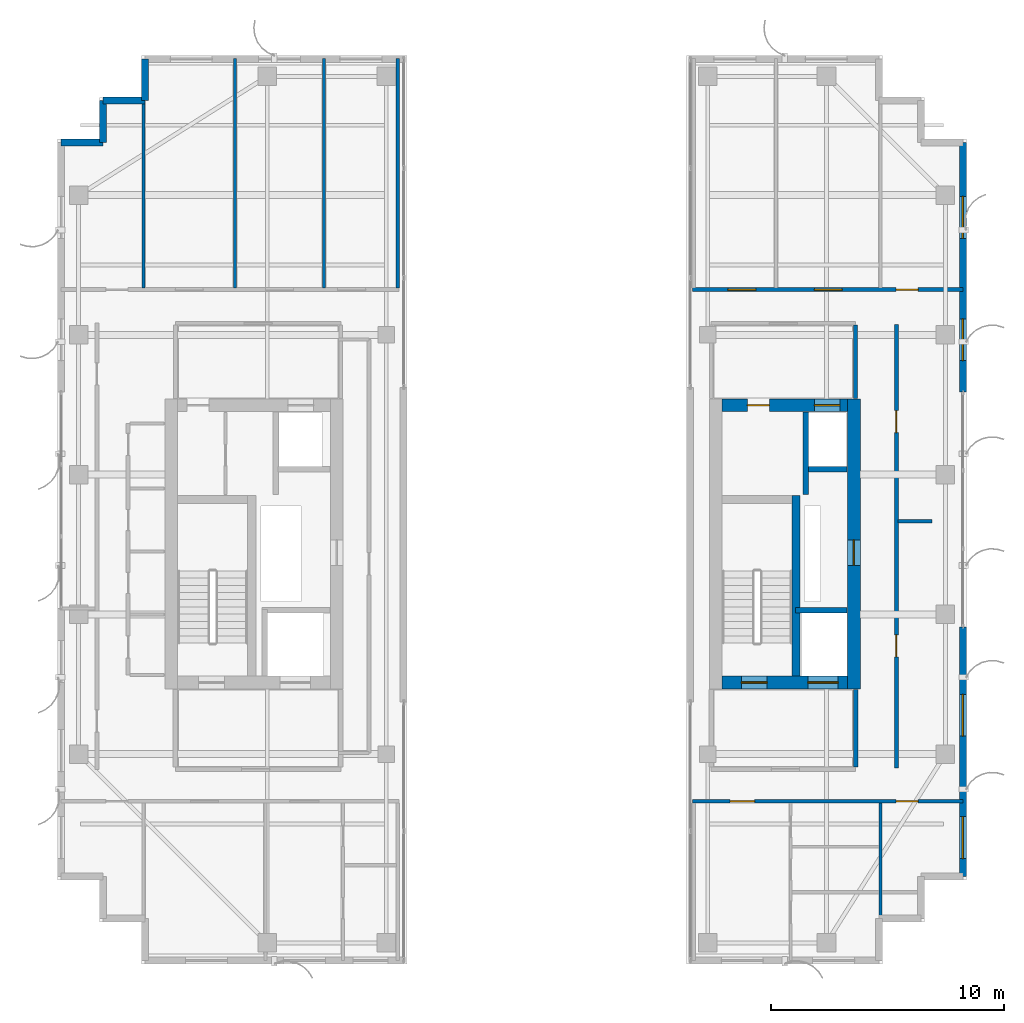
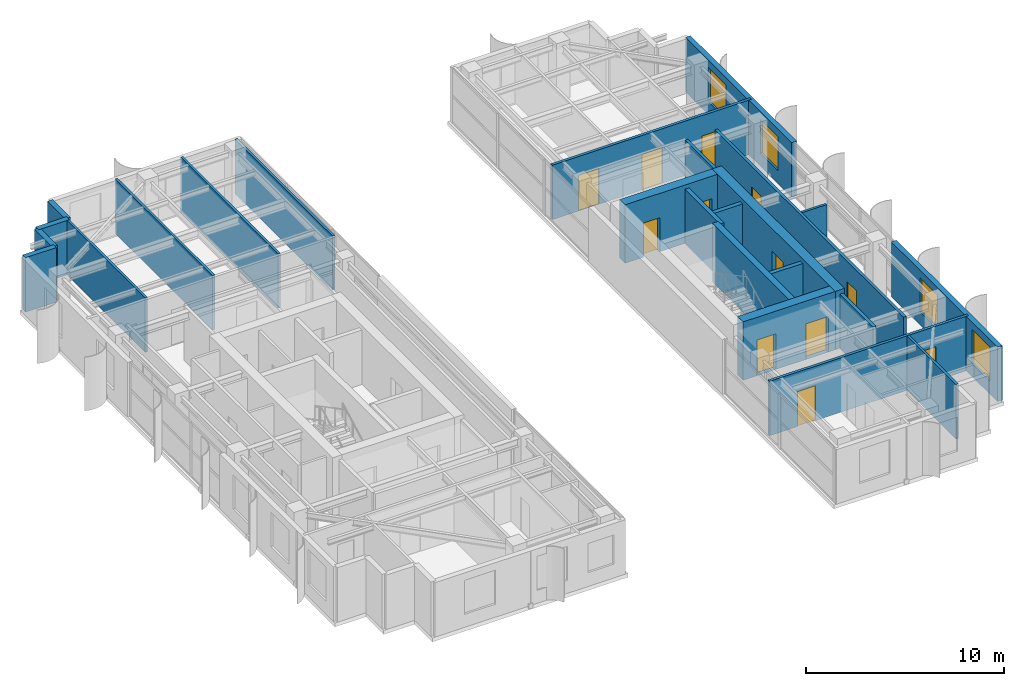
# One storey, part 20 of 24: 24 walls, 12 doors, 4 windows, 16 openings.
"""IFC4 building model written with IfcOpenShell, lengths in metres."""

from ifc_helpers import new_model, si_unit, direction, frame, frame_2d, origin, place, context, subcontext, project, spatial, rectangle, extrude, source, transform, mapped, material, layer, layer_set, type_object, element, fill, save


model = new_model("IFC4")

# Units and contexts
model_context = context("Model", 3, precision=1e-05, world=origin(), true_north=direction((0.0, 1.0)))
body_context = subcontext(model_context, "Body", "Model", "MODEL_VIEW")
ifc_project = project(units=[si_unit("LENGTHUNIT", "METRE"), si_unit("AREAUNIT", "SQUARE_METRE"), si_unit("VOLUMEUNIT", "CUBIC_METRE"), si_unit("PLANEANGLEUNIT", "RADIAN"), si_unit("MASSUNIT", "GRAM", prefix="KILO")], contexts=[model_context])

# Site, building, storey
site_placement = place(None, origin())
site = spatial("IfcSite", under=ifc_project, at=site_placement, CompositionType="ELEMENT")
building_placement = place(site_placement, origin())
building = spatial("IfcBuilding", under=site, at=building_placement, Name="Khoralis Quay Care Tower", CompositionType="ELEMENT")
storey_placement = place(building_placement, frame((0.0, 0.0, 231.300048828125)))
storey = spatial("IfcBuildingStorey", under=building, at=storey_placement, Name="L60", CompositionType="ELEMENT", Elevation=231.300048828125)

# Wall
ifc_material_1 = material(Name="Gypsum plasterboard on acoustic metal stud")
ifc_layer_1 = layer(ifc_material_1, 0.199951171875)
ifc_layer_set_1 = layer_set([ifc_layer_1], Name="Gypsum plasterboard on acoustic metal stud")
wall_type_1 = type_object("IfcWallType", Name="WL-COMP-200", PredefinedType="PARTITIONING", material=ifc_layer_set_1)
wall_1_placement = place(storey_placement, frame((37.25, 11.445068359375, 0.0), z_axis=(0.0, 0.0, 1.0), x_axis=(0.0, 1.0, 0.0)))
element("IfcWall", 1, at=wall_1_placement, inside=storey, type_object=wall_type_1, Name="L60 East Firefighting Lobby East Wall", PredefinedType="PARTITIONING", context=body_context, shape_type="SweptSolid", body=[
    extrude(rectangle(XDim=3.3349609375, YDim=0.199951171875, at=frame_2d((1.66748046875, 0.0))), origin(), (0.0, 0.0, 1.0), 3.35986328125),
])

# Wall, opening, door
ifc_material_2 = material(Name="Concrete C65/80", Category="concrete")
ifc_layer_2 = layer(ifc_material_2, 0.550048828125)
ifc_layer_set_2 = layer_set([ifc_layer_2], Name="Concrete C65/80")
wall_type_2 = type_object("IfcWallType", Name="WL-CORE-550", PredefinedType="SHEAR", material=ifc_layer_set_2)
wall_2_placement = place(storey_placement, frame((37.175048828125, 14.800048828125, 0.0), z_axis=(0.0, 0.0, 1.0), x_axis=(0.0, 1.0, 0.0)))
wall_2 = element("IfcWall", 2, at=wall_2_placement, inside=storey, type_object=wall_type_2, Name="L60 ECORE East Shear Wall", PredefinedType="SHEAR", context=body_context, shape_type="SweptSolid", body=[
    extrude(rectangle(XDim=12.449951171875, YDim=0.550048828125, at=frame_2d((6.22509765625, 0.0))), origin(), (0.0, 0.0, 1.0), 3.599853515625),
])
opening_1_placement = place(wall_2_placement, frame((5.300048828125, 0.0, 0.0)))
opening_1 = element("IfcOpeningElement", 3, at=opening_1_placement, cuts=wall_2, Name="Opening SD1", PredefinedType="OPENING", context=body_context, shape_type="SweptSolid", body=[
    extrude(rectangle(XDim=1.10009765625, YDim=2.199951171875, at=frame_2d((0.550048828125, 1.10009765625))), frame((0.0, 0.28515625, 0.0), z_axis=(0.0, -1.0, 0.0), x_axis=(1.0, 0.0, 0.0)), (0.0, 0.0, 1.0), 0.570068359375),
])
ifc_material_3 = material(Name="Fire-rated painted steel", Category="steel")
door_type_1 = type_object("IfcDoorType", Name="DR-STAIR-1100X2200", OperationType="NOTDEFINED", PredefinedType="DOOR", material=ifc_material_3)
shared_shape_1 = source(origin(), body_context, "Body", "SweptSolid", [
    extrude(rectangle(XDim=1.10009765625, YDim=2.199951171875, at=frame_2d((0.550048828125, 1.10009765625))), frame((0.0, 0.02490234375, 0.0), z_axis=(0.0, -1.0, 0.0), x_axis=(1.0, 0.0, 0.0)), (0.0, 0.0, 1.0), 0.050048828125),
])
door_1_placement = place(opening_1_placement, frame((1.10009765625, 0.0, 0.0), z_axis=(0.0, 0.0, 1.0), x_axis=(-1.0, 0.0, 0.0)))
door_1 = element("IfcDoor", 4, at=door_1_placement, inside=storey, type_object=door_type_1, Name="L60 East MEP Riser Door", OperationType="SINGLE_SWING_LEFT", OverallHeight=2.199951171875, OverallWidth=1.10009765625, PredefinedType="DOOR", context=body_context, shape_type="MappedRepresentation", body=[
    mapped(shared_shape_1, transform((0.0, 0.0, 0.0), scale=1.0)),
])
fill(opening_1, door_1)

# Wall, openings, doors
wall_3_placement = place(storey_placement, frame((31.52001953125, 15.074951171875, 0.0), z_axis=(0.0, 0.0, 1.0), x_axis=(1.0, 0.0, 0.0)))
wall_3 = element("IfcWall", 5, at=wall_3_placement, inside=storey, type_object=wall_type_2, Name="L60 ECORE South Shear Wall", PredefinedType="SHEAR", context=body_context, shape_type="SweptSolid", body=[
    extrude(rectangle(XDim=5.3798828125, YDim=0.550048828125, at=frame_2d((2.68994140625, 0.0))), origin(), (0.0, 0.0, 1.0), 3.599853515625),
])
opening_2_placement = place(wall_3_placement, frame((0.830078125, 0.0, 0.0)))
opening_2 = element("IfcOpeningElement", 6, at=opening_2_placement, cuts=wall_3, Name="Opening SD1", PredefinedType="OPENING", context=body_context, shape_type="SweptSolid", body=[
    extrude(rectangle(XDim=1.10009765625, YDim=2.199951171875, at=frame_2d((0.550048828125, 1.10009765625))), frame((0.0, 0.28515625, 0.0), z_axis=(0.0, -1.0, 0.0), x_axis=(1.0, 0.0, 0.0)), (0.0, 0.0, 1.0), 0.570068359375),
])
opening_3_placement = place(wall_3_placement, frame((3.679931640625, 0.0, 0.0)))
opening_3 = element("IfcOpeningElement", 7, at=opening_3_placement, cuts=wall_3, Name="Opening LD2", PredefinedType="OPENING", context=body_context, shape_type="SweptSolid", body=[
    extrude(rectangle(XDim=1.300048828125, YDim=2.199951171875, at=frame_2d((0.64990234375, 1.10009765625))), frame((0.0, 0.28515625, 0.0), z_axis=(0.0, -1.0, 0.0), x_axis=(1.0, 0.0, 0.0)), (0.0, 0.0, 1.0), 0.570068359375),
])
door_2_placement = place(opening_2_placement, origin())
door_2 = element("IfcDoor", 8, at=door_2_placement, inside=storey, type_object=door_type_1, Name="L60 Stair ST-T2 Fire Door", OperationType="SINGLE_SWING_LEFT", OverallHeight=2.199951171875, OverallWidth=1.10009765625, PredefinedType="DOOR", context=body_context, shape_type="MappedRepresentation", body=[
    mapped(shared_shape_1, transform((0.0, 0.0, 0.0), scale=1.0)),
])
fill(opening_2, door_2)
ifc_material_4 = material(Name="Brushed stainless steel", Category="steel")
door_type_2 = type_object("IfcDoorType", Name="DR-LIFT-1300X2200", OperationType="SLIDING_TO_RIGHT", PredefinedType="DOOR", material=ifc_material_4)
shared_shape_2 = source(origin(), body_context, "Body", "SweptSolid", [
    extrude(rectangle(XDim=1.300048828125, YDim=2.199951171875, at=frame_2d((0.64990234375, 1.10009765625))), frame((0.0, 0.02490234375, 0.0), z_axis=(0.0, -1.0, 0.0), x_axis=(1.0, 0.0, 0.0)), (0.0, 0.0, 1.0), 0.050048828125),
])
door_3_placement = place(opening_3_placement, origin())
door_3 = element("IfcDoor", 9, at=door_3_placement, inside=storey, type_object=door_type_2, Name="L60 Firefighting Lift FFL-2 Landing Door", OperationType="SLIDING_TO_RIGHT", OverallHeight=2.199951171875, OverallWidth=1.300048828125, PredefinedType="DOOR", context=body_context, shape_type="MappedRepresentation", body=[
    mapped(shared_shape_2, transform((0.0, 0.0, 0.0), scale=1.0)),
])
fill(opening_3, door_3)

wall_4_placement = place(storey_placement, frame((31.52001953125, 26.97509765625, 0.0), z_axis=(0.0, 0.0, 1.0), x_axis=(1.0, 0.0, 0.0)))
wall_4 = element("IfcWall", 10, at=wall_4_placement, inside=storey, type_object=wall_type_2, Name="L60 ECORE North Shear Wall", PredefinedType="SHEAR", context=body_context, shape_type="SweptSolid", body=[
    extrude(rectangle(XDim=5.3798828125, YDim=0.550048828125, at=frame_2d((2.68994140625, 0.0))), origin(), (0.0, 0.0, 1.0), 3.599853515625),
])
opening_4_placement = place(wall_4_placement, frame((1.080078125, 0.0, 0.0)))
opening_4 = element("IfcOpeningElement", 11, at=opening_4_placement, cuts=wall_4, Name="Opening ID1", PredefinedType="OPENING", context=body_context, shape_type="SweptSolid", body=[
    extrude(rectangle(XDim=0.949951171875, YDim=2.10009765625, at=frame_2d((0.47509765625, 1.050048828125))), frame((0.0, 0.28515625, 0.0), z_axis=(0.0, -1.0, 0.0), x_axis=(1.0, 0.0, 0.0)), (0.0, 0.0, 1.0), 0.570068359375),
])
opening_5_placement = place(wall_4_placement, frame((3.9599609375, 0.0, 0.0)))
opening_5 = element("IfcOpeningElement", 12, at=opening_5_placement, cuts=wall_4, Name="Opening LD1", PredefinedType="OPENING", context=body_context, shape_type="SweptSolid", body=[
    extrude(rectangle(XDim=1.10009765625, YDim=2.199951171875, at=frame_2d((0.550048828125, 1.10009765625))), frame((0.0, 0.28515625, 0.0), z_axis=(0.0, -1.0, 0.0), x_axis=(1.0, 0.0, 0.0)), (0.0, 0.0, 1.0), 0.570068359375),
])
door_type_3 = type_object("IfcDoorType", Name="DR-LIFT-1100X2200", OperationType="SLIDING_TO_LEFT", PredefinedType="DOOR", material=ifc_material_4)
shared_shape_3 = source(origin(), body_context, "Body", "SweptSolid", [
    extrude(rectangle(XDim=1.10009765625, YDim=2.199951171875, at=frame_2d((0.550048828125, 1.10009765625))), frame((0.0, 0.02490234375, 0.0), z_axis=(0.0, -1.0, 0.0), x_axis=(1.0, 0.0, 0.0)), (0.0, 0.0, 1.0), 0.050048828125),
])
door_4_placement = place(opening_5_placement, origin())
door_4 = element("IfcDoor", 13, at=door_4_placement, inside=storey, type_object=door_type_3, Name="L60 Lift PLH2 Landing Door", OperationType="SLIDING_TO_LEFT", OverallHeight=2.199951171875, OverallWidth=1.10009765625, PredefinedType="DOOR", context=body_context, shape_type="MappedRepresentation", body=[
    mapped(shared_shape_3, transform((0.0, 0.0, 0.0), scale=1.0)),
])
fill(opening_5, door_4)
ifc_material_5 = material(Name="Acoustic hardwood timber", Category="wood")
door_type_4 = type_object("IfcDoorType", Name="DR-ROOM-950X2100", OperationType="NOTDEFINED", PredefinedType="DOOR", material=ifc_material_5)
shared_shape_4 = source(origin(), body_context, "Body", "SweptSolid", [
    extrude(rectangle(XDim=0.949951171875, YDim=2.10009765625, at=frame_2d((0.47509765625, 1.050048828125))), frame((0.0, 0.02490234375, 0.0), z_axis=(0.0, -1.0, 0.0), x_axis=(1.0, 0.0, 0.0)), (0.0, 0.0, 1.0), 0.050048828125),
])
door_5_placement = place(opening_4_placement, frame((0.949951171875, 0.0, 0.0), z_axis=(0.0, 0.0, 1.0), x_axis=(-1.0, 0.0, 0.0)))
door_5 = element("IfcDoor", 14, at=door_5_placement, inside=storey, type_object=door_type_4, Name="L60 Rehab Gym Door", OperationType="SINGLE_SWING_LEFT", OverallHeight=2.10009765625, OverallWidth=0.949951171875, PredefinedType="DOOR", context=body_context, shape_type="MappedRepresentation", body=[
    mapped(shared_shape_4, transform((0.0, 0.0, 0.0), scale=1.0)),
])
fill(opening_4, door_5)

# Wall
ifc_layer_3 = layer(ifc_material_1, 0.1650390625)
ifc_layer_set_3 = layer_set([ifc_layer_3], Name="Gypsum plasterboard on acoustic metal stud")
wall_type_3 = type_object("IfcWallType", Name="WL-CORR-165", PredefinedType="PARTITIONING", material=ifc_layer_set_3)
wall_5_placement = place(storey_placement, frame((37.25, 27.27001953125, 0.0), z_axis=(0.0, 0.0, 1.0), x_axis=(0.0, 1.0, 0.0)))
element("IfcWall", 15, at=wall_5_placement, inside=storey, type_object=wall_type_3, Name="L60 East Lift Lobby East Wall", PredefinedType="PARTITIONING", context=body_context, shape_type="SweptSolid", body=[
    extrude(rectangle(XDim=3.152587890625, YDim=0.1650390625, at=frame_2d((1.576171875, 0.0))), origin(), (0.0, 0.0, 1.0), 3.35986328125),
])

# Wall, openings, doors
wall_6_placement = place(storey_placement, frame((30.25, 9.97998046875, 0.0), z_axis=(0.0, 0.0, 1.0), x_axis=(1.0, 0.0, 0.0)))
wall_6 = element("IfcWall", 16, at=wall_6_placement, inside=storey, type_object=wall_type_3, Name="L60 East Wing South Corridor Wall", PredefinedType="PARTITIONING", context=body_context, shape_type="SweptSolid", body=[
    extrude(rectangle(XDim=11.60498046875, YDim=0.1650390625, at=frame_2d((5.802490234375, 0.0))), origin(), (0.0, 0.0, 1.0), 3.35986328125),
])
opening_6_placement = place(wall_6_placement, frame((1.610107421875, 0.0, 0.0)))
opening_6 = element("IfcOpeningElement", 17, at=opening_6_placement, cuts=wall_6, Name="Opening UD1", PredefinedType="OPENING", context=body_context, shape_type="SweptSolid", body=[
    extrude(rectangle(XDim=1.050048828125, YDim=2.14990234375, at=frame_2d((0.52490234375, 1.074951171875))), frame((0.0, 0.092529296875, 0.0), z_axis=(0.0, -1.0, 0.0), x_axis=(1.0, 0.0, 0.0)), (0.0, 0.0, 1.0), 0.18505859375),
])
opening_7_placement = place(wall_6_placement, frame((8.735107421875, 0.0, 0.0)))
opening_7 = element("IfcOpeningElement", 18, at=opening_7_placement, cuts=wall_6, Name="Opening ID1", PredefinedType="OPENING", context=body_context, shape_type="SweptSolid", body=[
    extrude(rectangle(XDim=0.949951171875, YDim=2.10009765625, at=frame_2d((0.47509765625, 1.050048828125))), frame((0.0, 0.092529296875, 0.0), z_axis=(0.0, -1.0, 0.0), x_axis=(1.0, 0.0, 0.0)), (0.0, 0.0, 1.0), 0.18505859375),
])
door_6_placement = place(opening_7_placement, frame((0.949951171875, 0.0, 0.0), z_axis=(0.0, 0.0, 1.0), x_axis=(-1.0, 0.0, 0.0)))
door_6 = element("IfcDoor", 19, at=door_6_placement, inside=storey, type_object=door_type_4, Name="L60 SE Corner Door", OperationType="SINGLE_SWING_RIGHT", OverallHeight=2.10009765625, OverallWidth=0.949951171875, PredefinedType="DOOR", context=body_context, shape_type="MappedRepresentation", body=[
    mapped(shared_shape_4, transform((0.0, 0.0, 0.0), scale=1.0)),
])
fill(opening_7, door_6)
door_type_5 = type_object("IfcDoorType", Name="DR-SUITE-1050X2150", OperationType="NOTDEFINED", PredefinedType="DOOR", material=ifc_material_5)
shared_shape_5 = source(origin(), body_context, "Body", "SweptSolid", [
    extrude(rectangle(XDim=1.050048828125, YDim=2.14990234375, at=frame_2d((0.52490234375, 1.074951171875))), frame((0.0, 0.02490234375, 0.0), z_axis=(0.0, -1.0, 0.0), x_axis=(1.0, 0.0, 0.0)), (0.0, 0.0, 1.0), 0.050048828125),
])
door_7_placement = place(opening_6_placement, frame((1.050048828125, 0.0, 0.0), z_axis=(0.0, 0.0, 1.0), x_axis=(-1.0, 0.0, 0.0)))
door_7 = element("IfcDoor", 20, at=door_7_placement, inside=storey, type_object=door_type_5, Name="L60 Apartment ES0 Entrance Door", OperationType="SINGLE_SWING_LEFT", OverallHeight=2.14990234375, OverallWidth=1.050048828125, PredefinedType="DOOR", context=body_context, shape_type="MappedRepresentation", body=[
    mapped(shared_shape_5, transform((0.0, 0.0, 0.0), scale=1.0)),
])
fill(opening_6, door_7)

wall_7_placement = place(storey_placement, frame((30.25, 31.93994140625, 0.0), z_axis=(0.0, 0.0, 1.0), x_axis=(1.0, 0.0, 0.0)))
wall_7 = element("IfcWall", 21, at=wall_7_placement, inside=storey, type_object=wall_type_3, Name="L60 East Wing North Corridor Wall", PredefinedType="PARTITIONING", context=body_context, shape_type="SweptSolid", body=[
    extrude(rectangle(XDim=11.60498046875, YDim=0.1650390625, at=frame_2d((5.802490234375, 0.0))), origin(), (0.0, 0.0, 1.0), 3.35986328125),
])
opening_8_placement = place(wall_7_placement, frame((1.514892578125, 0.0, 0.0)))
opening_8 = element("IfcOpeningElement", 22, at=opening_8_placement, cuts=wall_7, Name="Opening FD1", PredefinedType="OPENING", context=body_context, shape_type="SweptSolid", body=[
    extrude(rectangle(XDim=1.199951171875, YDim=2.199951171875, at=frame_2d((0.60009765625, 1.10009765625))), frame((0.0, 0.092529296875, 0.0), z_axis=(0.0, -1.0, 0.0), x_axis=(1.0, 0.0, 0.0)), (0.0, 0.0, 1.0), 0.18505859375),
])
opening_9_placement = place(wall_7_placement, frame((5.22509765625, 0.0, 0.0)))
opening_9 = element("IfcOpeningElement", 23, at=opening_9_placement, cuts=wall_7, Name="Opening FD1", PredefinedType="OPENING", context=body_context, shape_type="SweptSolid", body=[
    extrude(rectangle(XDim=1.199951171875, YDim=2.199951171875, at=frame_2d((0.60009765625, 1.10009765625))), frame((0.0, 0.092529296875, 0.0), z_axis=(0.0, -1.0, 0.0), x_axis=(1.0, 0.0, 0.0)), (0.0, 0.0, 1.0), 0.18505859375),
])
opening_10_placement = place(wall_7_placement, frame((8.735107421875, 0.0, 0.0)))
opening_10 = element("IfcOpeningElement", 24, at=opening_10_placement, cuts=wall_7, Name="Opening ID1", PredefinedType="OPENING", context=body_context, shape_type="SweptSolid", body=[
    extrude(rectangle(XDim=0.949951171875, YDim=2.10009765625, at=frame_2d((0.47509765625, 1.050048828125))), frame((0.0, 0.092529296875, 0.0), z_axis=(0.0, -1.0, 0.0), x_axis=(1.0, 0.0, 0.0)), (0.0, 0.0, 1.0), 0.18505859375),
])
door_type_6 = type_object("IfcDoorType", Name="DR-FFL-1200X2200", OperationType="NOTDEFINED", PredefinedType="DOOR", material=ifc_material_3)
shared_shape_6 = source(origin(), body_context, "Body", "SweptSolid", [
    extrude(rectangle(XDim=1.199951171875, YDim=2.199951171875, at=frame_2d((0.60009765625, 1.10009765625))), frame((0.0, 0.02490234375, 0.0), z_axis=(0.0, -1.0, 0.0), x_axis=(1.0, 0.0, 0.0)), (0.0, 0.0, 1.0), 0.050048828125),
])
door_8_placement = place(opening_8_placement, origin())
door_8 = element("IfcDoor", 25, at=door_8_placement, inside=storey, type_object=door_type_6, Name="L60 Resident Communal Day Lounge Door", OperationType="DOUBLE_DOOR_SINGLE_SWING", OverallHeight=2.199951171875, OverallWidth=1.199951171875, PredefinedType="DOOR", context=body_context, shape_type="MappedRepresentation", body=[
    mapped(shared_shape_6, transform((0.0, 0.0, 0.0), scale=1.0)),
])
fill(opening_8, door_8)
door_9_placement = place(opening_9_placement, origin())
door_9 = element("IfcDoor", 26, at=door_9_placement, inside=storey, type_object=door_type_6, Name="L60 Resident Communal Day Lounge Door", OperationType="DOUBLE_DOOR_SINGLE_SWING", OverallHeight=2.199951171875, OverallWidth=1.199951171875, PredefinedType="DOOR", context=body_context, shape_type="MappedRepresentation", body=[
    mapped(shared_shape_6, transform((0.0, 0.0, 0.0), scale=1.0)),
])
fill(opening_9, door_9)
door_10_placement = place(opening_10_placement, origin())
door_10 = element("IfcDoor", 27, at=door_10_placement, inside=storey, type_object=door_type_4, Name="L60 NE Corner Door", OperationType="SINGLE_SWING_LEFT", OverallHeight=2.10009765625, OverallWidth=0.949951171875, PredefinedType="DOOR", context=body_context, shape_type="MappedRepresentation", body=[
    mapped(shared_shape_4, transform((0.0, 0.0, 0.0), scale=1.0)),
])
fill(opening_10, door_10)

wall_8_placement = place(storey_placement, frame((39.0, 11.39990234375, 0.0), z_axis=(0.0, 0.0, 1.0), x_axis=(0.0, 1.0, 0.0)))
wall_8 = element("IfcWall", 28, at=wall_8_placement, inside=storey, type_object=wall_type_3, Name="L60 East High-Rise Suite Wall", PredefinedType="PARTITIONING", context=body_context, shape_type="SweptSolid", body=[
    extrude(rectangle(XDim=19.050048828125, YDim=0.1650390625, at=frame_2d((9.52490234375, 0.0))), origin(), (0.0, 0.0, 1.0), 3.35986328125),
])
opening_11_placement = place(wall_8_placement, frame((4.77490234375, 0.0, 0.0)))
opening_11 = element("IfcOpeningElement", 29, at=opening_11_placement, cuts=wall_8, Name="Opening ID1", PredefinedType="OPENING", context=body_context, shape_type="SweptSolid", body=[
    extrude(rectangle(XDim=0.949951171875, YDim=2.10009765625, at=frame_2d((0.47509765625, 1.050048828125))), frame((0.0, 0.092529296875, 0.0), z_axis=(0.0, -1.0, 0.0), x_axis=(1.0, 0.0, 0.0)), (0.0, 0.0, 1.0), 0.18505859375),
])
opening_12_placement = place(wall_8_placement, frame((14.39990234375, 0.0, 0.0)))
opening_12 = element("IfcOpeningElement", 30, at=opening_12_placement, cuts=wall_8, Name="Opening ID1", PredefinedType="OPENING", context=body_context, shape_type="SweptSolid", body=[
    extrude(rectangle(XDim=0.949951171875, YDim=2.10009765625, at=frame_2d((0.47509765625, 1.050048828125))), frame((0.0, 0.092529296875, 0.0), z_axis=(0.0, -1.0, 0.0), x_axis=(1.0, 0.0, 0.0)), (0.0, 0.0, 1.0), 0.18505859375),
])
door_11_placement = place(opening_11_placement, origin())
door_11 = element("IfcDoor", 31, at=door_11_placement, inside=storey, type_object=door_type_4, Name="L60 East High-Rise Rehab Clinic Door", OperationType="SINGLE_SWING_LEFT", OverallHeight=2.10009765625, OverallWidth=0.949951171875, PredefinedType="DOOR", context=body_context, shape_type="MappedRepresentation", body=[
    mapped(shared_shape_4, transform((0.0, 0.0, 0.0), scale=1.0)),
])
fill(opening_11, door_11)
door_12_placement = place(opening_12_placement, origin())
door_12 = element("IfcDoor", 32, at=door_12_placement, inside=storey, type_object=door_type_4, Name="L60 East High-Rise Care Office Door", OperationType="SINGLE_SWING_RIGHT", OverallHeight=2.10009765625, OverallWidth=0.949951171875, PredefinedType="DOOR", context=body_context, shape_type="MappedRepresentation", body=[
    mapped(shared_shape_4, transform((0.0, 0.0, 0.0), scale=1.0)),
])
fill(opening_12, door_12)

# Walls
ifc_material_6 = material(Name="Precast concrete C45/55", Category="concrete")
ifc_layer_4 = layer(ifc_material_6, 0.300048828125)
ifc_layer_set_4 = layer_set([ifc_layer_4], Name="Precast concrete C45/55")
wall_type_4 = type_object("IfcWallType", Name="WL-EXT-REF-300", PredefinedType="SOLIDWALL", material=ifc_layer_set_4)
for number, where, z_axis, x_axis, name in (
    (33, (6.75, 41.85009765625, 0.0), (0.0, 0.0, 1.0), (0.0, -1.0, 0.0), "L60 External Facade Wall WL-EXT-L60-P1-C3"),
    (34, (6.75, 40.050048828125, 0.0), (0.0, 0.0, 1.0), (-1.0, 0.0, 0.0), "L60 External Facade Wall WL-EXT-L60-P1-C4"),
    (35, (4.949951171875, 40.050048828125, 0.0), (0.0, 0.0, 1.0), (0.0, -1.0, 0.0), "L60 External Facade Wall WL-EXT-L60-P1-C5"),
    (36, (4.949951171875, 38.25, 0.0), (0.0, 0.0, 1.0), (-1.0, 0.0, 0.0), "L60 External Facade Wall WL-EXT-L60-P1-C6"),
):
    element("IfcWall", number, at=place(storey_placement, frame(where, z_axis=z_axis, x_axis=x_axis)), inside=storey, type_object=wall_type_4, Name=name, PredefinedType="SOLIDWALL", context=body_context, shape_type="SweptSolid", body=[
        extrude(rectangle(XDim=1.800048828125, YDim=0.300048828125, at=frame_2d((0.89990234375, 0.0))), origin(), (0.0, 0.0, 1.0), 3.35986328125),
    ])

# Wall, openings, windows
wall_9_placement = place(storey_placement, frame((41.85009765625, 6.75, 0.0), z_axis=(0.0, 0.0, 1.0), x_axis=(0.0, 1.0, 0.0)))
wall_9 = element("IfcWall", 37, at=wall_9_placement, inside=storey, type_object=wall_type_4, Name="L60 External Facade Wall WL-EXT-L60-P2-E5A", PredefinedType="SOLIDWALL", context=body_context, shape_type="SweptSolid", body=[
    extrude(rectangle(XDim=10.7099609375, YDim=0.300048828125, at=frame_2d((5.35498046875, 0.0))), origin(), (0.0, 0.0, 1.0), 3.35986328125),
])
opening_13_placement = place(wall_9_placement, frame((0.764892578125, 0.0, 0.800048828125)))
opening_13 = element("IfcOpeningElement", 38, at=opening_13_placement, cuts=wall_9, Name="Opening W2", PredefinedType="OPENING", context=body_context, shape_type="SweptSolid", body=[
    extrude(rectangle(XDim=1.800048828125, YDim=2.10009765625, at=frame_2d((0.89990234375, 1.050048828125))), frame((0.0, 0.16015625, 0.0), z_axis=(0.0, -1.0, 0.0), x_axis=(1.0, 0.0, 0.0)), (0.0, 0.0, 1.0), 0.320068359375),
])
opening_14_placement = place(wall_9_placement, frame((6.02001953125, 0.0, 0.800048828125)))
opening_14 = element("IfcOpeningElement", 39, at=opening_14_placement, cuts=wall_9, Name="Opening W2", PredefinedType="OPENING", context=body_context, shape_type="SweptSolid", body=[
    extrude(rectangle(XDim=1.800048828125, YDim=2.10009765625, at=frame_2d((0.89990234375, 1.050048828125))), frame((0.0, 0.16015625, 0.0), z_axis=(0.0, -1.0, 0.0), x_axis=(1.0, 0.0, 0.0)), (0.0, 0.0, 1.0), 0.320068359375),
])
ifc_material_7 = material(Name="Low-E solar-control double glazing", Category="glass")
window_type = type_object("IfcWindowType", Name="WN-POD-1800X2100", PartitioningType="SINGLE_PANEL", PredefinedType="WINDOW", material=ifc_material_7)
shared_shape_7 = source(origin(), body_context, "Body", "SweptSolid", [
    extrude(rectangle(XDim=1.800048828125, YDim=2.10009765625, at=frame_2d((0.89990234375, 1.050048828125))), frame((0.0, 0.030029296875, 0.0), z_axis=(0.0, -1.0, 0.0), x_axis=(1.0, 0.0, 0.0)), (0.0, 0.0, 1.0), 0.06005859375),
])
window_1_placement = place(opening_13_placement, origin())
window_1 = element("IfcWindow", 40, at=window_1_placement, inside=storey, type_object=window_type, Name="WN-L60-P2-E5A Facade Window 01", OverallHeight=2.10009765625, OverallWidth=1.800048828125, PartitioningType="SINGLE_PANEL", PredefinedType="WINDOW", context=body_context, shape_type="MappedRepresentation", body=[
    mapped(shared_shape_7, transform((0.0, 0.0, 0.0), scale=1.0)),
])
fill(opening_13, window_1)
window_2_placement = place(opening_14_placement, origin())
window_2 = element("IfcWindow", 41, at=window_2_placement, inside=storey, type_object=window_type, Name="WN-L60-P2-E5A Facade Window 02", OverallHeight=2.10009765625, OverallWidth=1.800048828125, PartitioningType="SINGLE_PANEL", PredefinedType="WINDOW", context=body_context, shape_type="MappedRepresentation", body=[
    mapped(shared_shape_7, transform((0.0, 0.0, 0.0), scale=1.0)),
])
fill(opening_14, window_2)

wall_10_placement = place(storey_placement, frame((41.85009765625, 27.5400390625, 0.0), z_axis=(0.0, 0.0, 1.0), x_axis=(0.0, 1.0, 0.0)))
wall_10 = element("IfcWall", 42, at=wall_10_placement, inside=storey, type_object=wall_type_4, Name="L60 External Facade Wall WL-EXT-L60-P2-E5B", PredefinedType="SOLIDWALL", context=body_context, shape_type="SweptSolid", body=[
    extrude(rectangle(XDim=10.7099609375, YDim=0.300048828125, at=frame_2d((5.35498046875, 0.0))), origin(), (0.0, 0.0, 1.0), 3.35986328125),
])
opening_15_placement = place(wall_10_placement, frame((1.35009765625, 0.0, 0.800048828125)))
opening_15 = element("IfcOpeningElement", 43, at=opening_15_placement, cuts=wall_10, Name="Opening W2", PredefinedType="OPENING", context=body_context, shape_type="SweptSolid", body=[
    extrude(rectangle(XDim=1.800048828125, YDim=2.10009765625, at=frame_2d((0.89990234375, 1.050048828125))), frame((0.0, 0.16015625, 0.0), z_axis=(0.0, -1.0, 0.0), x_axis=(1.0, 0.0, 0.0)), (0.0, 0.0, 1.0), 0.320068359375),
])
opening_16_placement = place(wall_10_placement, frame((6.60498046875, 0.0, 0.800048828125)))
opening_16 = element("IfcOpeningElement", 44, at=opening_16_placement, cuts=wall_10, Name="Opening W2", PredefinedType="OPENING", context=body_context, shape_type="SweptSolid", body=[
    extrude(rectangle(XDim=1.800048828125, YDim=2.10009765625, at=frame_2d((0.89990234375, 1.050048828125))), frame((0.0, 0.16015625, 0.0), z_axis=(0.0, -1.0, 0.0), x_axis=(1.0, 0.0, 0.0)), (0.0, 0.0, 1.0), 0.320068359375),
])
window_3_placement = place(opening_15_placement, origin())
window_3 = element("IfcWindow", 45, at=window_3_placement, inside=storey, type_object=window_type, Name="WN-L60-P2-E5B Facade Window 01", OverallHeight=2.10009765625, OverallWidth=1.800048828125, PartitioningType="SINGLE_PANEL", PredefinedType="WINDOW", context=body_context, shape_type="MappedRepresentation", body=[
    mapped(shared_shape_7, transform((0.0, 0.0, 0.0), scale=1.0)),
])
fill(opening_15, window_3)
window_4_placement = place(opening_16_placement, origin())
window_4 = element("IfcWindow", 46, at=window_4_placement, inside=storey, type_object=window_type, Name="WN-L60-P2-E5B Facade Window 02", OverallHeight=2.10009765625, OverallWidth=1.800048828125, PartitioningType="SINGLE_PANEL", PredefinedType="WINDOW", context=body_context, shape_type="MappedRepresentation", body=[
    mapped(shared_shape_7, transform((0.0, 0.0, 0.0), scale=1.0)),
])
fill(opening_16, window_4)

# Walls
ifc_material_8 = material(Name="Concrete C40/50", Category="concrete")
ifc_layer_5 = layer(ifc_material_8, 0.35009765625)
ifc_layer_set_5 = layer_set([ifc_layer_5], Name="Concrete C40/50")
wall_type_5 = type_object("IfcWallType", Name="WL-SC-CORE-350", PredefinedType="SHEAR", material=ifc_layer_set_5)
wall_11_placement = place(storey_placement, frame((34.695068359375, 15.35009765625, 0.0), z_axis=(0.0, 0.0, 1.0), x_axis=(0.0, 1.0, 0.0)))
element("IfcWall", 47, at=wall_11_placement, inside=storey, type_object=wall_type_5, Name="L60 Stair ST-T2 Shear Baffle Wall East", PredefinedType="SHEAR", context=body_context, shape_type="SweptSolid", body=[
    extrude(rectangle(XDim=7.75, YDim=0.35009765625, at=frame_2d((3.875, 0.0))), origin(), (0.0, 0.0, 1.0), 3.599853515625),
])
ifc_layer_6 = layer(ifc_material_1, 0.239990234375)
ifc_layer_set_6 = layer_set([ifc_layer_6], Name="Gypsum plasterboard on acoustic metal stud")
wall_type_6 = type_object("IfcWallType", Name="WL-SHAFT-240", PredefinedType="PARTITIONING", material=ifc_layer_set_6)
wall_12_placement = place(storey_placement, frame((34.679931640625, 18.169921875, 0.0), z_axis=(0.0, 0.0, 1.0), x_axis=(1.0, 0.0, 0.0)))
element("IfcWall", 48, at=wall_12_placement, inside=storey, type_object=wall_type_6, Name="L60 FFL-2 Shaft Wall North", PredefinedType="PARTITIONING", context=body_context, shape_type="SweptSolid", body=[
    extrude(rectangle(XDim=2.199951171875, YDim=0.239990234375, at=frame_2d((1.10009765625, 0.0))), origin(), (0.0, 0.0, 1.0), 3.35986328125),
])
wall_13_placement = place(storey_placement, frame((35.110107421875, 23.139892578125, 0.0), z_axis=(0.0, 0.0, 1.0), x_axis=(0.0, 1.0, 0.0)))
element("IfcWall", 49, at=wall_13_placement, inside=storey, type_object=wall_type_6, Name="L60 High-Rise Reclaimed Bay Wall East", PredefinedType="PARTITIONING", context=body_context, shape_type="SweptSolid", body=[
    extrude(rectangle(XDim=3.5400390625, YDim=0.239990234375, at=frame_2d((1.77001953125, 0.0))), origin(), (0.0, 0.0, 1.0), 3.35986328125),
])
wall_14_placement = place(storey_placement, frame((35.22509765625, 24.22998046875, 0.0), z_axis=(0.0, 0.0, 1.0), x_axis=(1.0, 0.0, 0.0)))
element("IfcWall", 50, at=wall_14_placement, inside=storey, type_object=wall_type_6, Name="L60 High-Rise Shaft South Wall East", PredefinedType="PARTITIONING", context=body_context, shape_type="SweptSolid", body=[
    extrude(rectangle(XDim=1.65478515625, YDim=0.239990234375, at=frame_2d((0.827392578125, 0.0))), origin(), (0.0, 0.0, 1.0), 3.35986328125),
])
ifc_layer_7 = layer(ifc_material_1, 0.139892578125)
ifc_layer_set_7 = layer_set([ifc_layer_7], Name="Gypsum plasterboard on acoustic metal stud")
wall_type_7 = type_object("IfcWallType", Name="WL-UNIT-140", PredefinedType="PARTITIONING", material=ifc_layer_set_7)
wall_15_placement = place(storey_placement, frame((39.077392578125, 22.0, 0.0), z_axis=(0.0, 0.0, 1.0), x_axis=(1.0, 0.0, 0.0)))
element("IfcWall", 51, at=wall_15_placement, inside=storey, type_object=wall_type_7, Name="L60 East High-Rise Split", PredefinedType="PARTITIONING", context=body_context, shape_type="SweptSolid", body=[
    extrude(rectangle(XDim=1.442626953125, YDim=0.139892578125, at=frame_2d((0.72119140625, 0.0))), origin(), (0.0, 0.0, 1.0), 3.35986328125),
])
wall_16_placement = place(storey_placement, frame((6.679931640625, 32.017578125, 0.0), z_axis=(0.0, 0.0, 1.0), x_axis=(0.0, 1.0, 0.0)))
element("IfcWall", 52, at=wall_16_placement, inside=storey, type_object=wall_type_7, Name="L60 WN Demising Wall 0", PredefinedType="PARTITIONING", context=body_context, shape_type="SweptSolid", body=[
    extrude(rectangle(XDim=8.037353515625, YDim=0.139892578125, at=frame_2d((4.0185546875, 0.0))), origin(), (0.0, 0.0, 1.0), 3.35986328125),
])
for number, where, z_axis, x_axis, name in (
    (53, (10.610107421875, 32.017578125, 0.0), (0.0, 0.0, 1.0), (0.0, 1.0, 0.0), "L60 WN Demising Wall 1"),
    (54, (14.429931640625, 32.017578125, 0.0), (0.0, 0.0, 1.0), (0.0, 1.0, 0.0), "L60 WN Demising Wall 2"),
    (55, (17.60009765625, 32.017578125, 0.0), (0.0, 0.0, 1.0), (0.0, 1.0, 0.0), "L60 WN Demising Wall 3"),
):
    element("IfcWall", number, at=place(storey_placement, frame(where, z_axis=z_axis, x_axis=x_axis)), inside=storey, type_object=wall_type_7, Name=name, PredefinedType="PARTITIONING", context=body_context, shape_type="SweptSolid", body=[
        extrude(rectangle(XDim=9.83740234375, YDim=0.139892578125, at=frame_2d((4.918701171875, 0.0))), origin(), (0.0, 0.0, 1.0), 3.35986328125),
    ])
wall_17_placement = place(storey_placement, frame((38.320068359375, 4.945068359375, 0.0), z_axis=(0.0, 0.0, 1.0), x_axis=(0.0, 1.0, 0.0)))
element("IfcWall", 56, at=wall_17_placement, inside=storey, type_object=wall_type_7, Name="L60 ES Demising Wall 1", PredefinedType="PARTITIONING", context=body_context, shape_type="SweptSolid", body=[
    extrude(rectangle(XDim=4.95751953125, YDim=0.139892578125, at=frame_2d((2.478759765625, 0.0))), origin(), (0.0, 0.0, 1.0), 3.35986328125),
])

save(model, "model.ifc")
